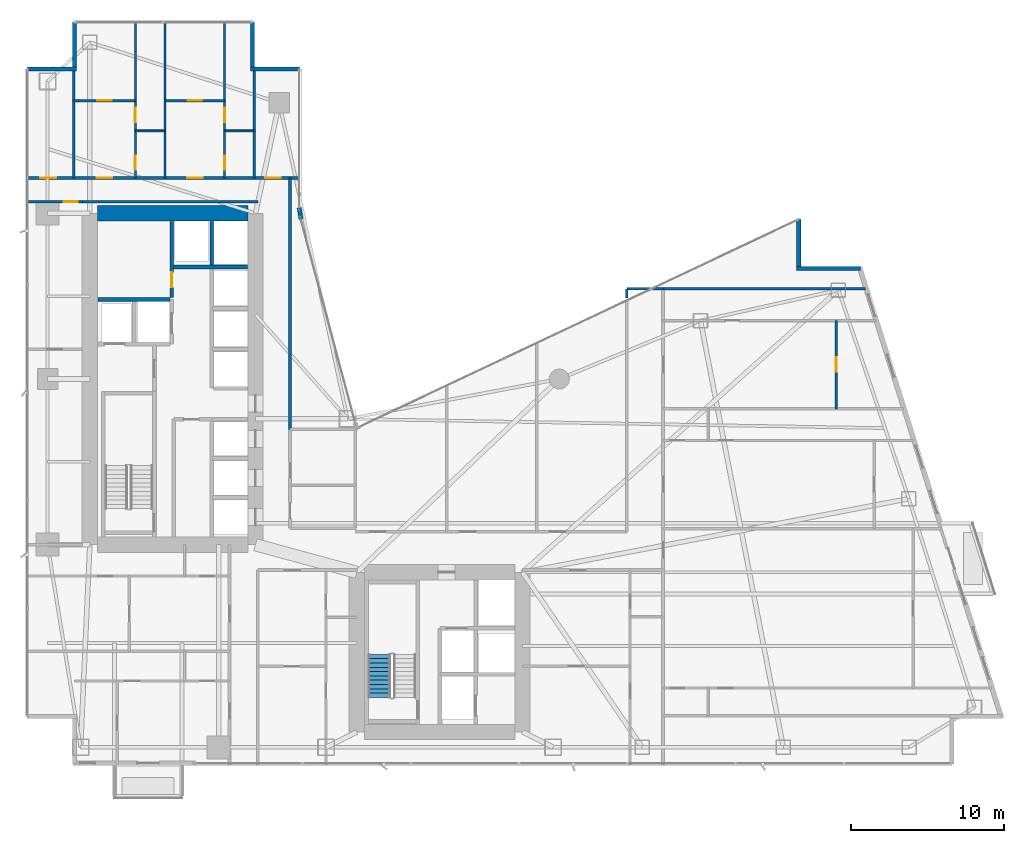
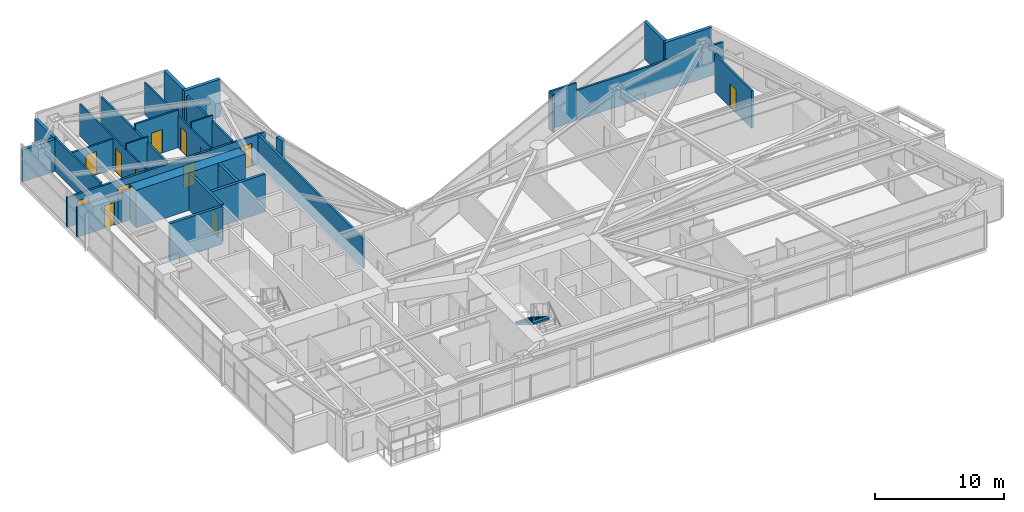
# One storey, part 25 of 29: 29 walls, 13 doors, 1 stair flight, 13 openings, 1 element without a shape of its own.
"""IFC4 building model written with IfcOpenShell, lengths in metres."""

from ifc_helpers import new_model, si_unit, direction, frame, frame_2d, origin, place, context, subcontext, project, spatial, polyline, rectangle, outline, extrude, material, layer, layer_set, type_object, element, fill, aggregate, save


model = new_model("IFC4")

# Units and contexts
model_context = context("Model", 3, precision=1e-05, world=origin(), true_north=direction((0.0, 1.0)))
body_context = subcontext(model_context, "Body", "Model", "MODEL_VIEW")
ifc_project = project(units=[si_unit("LENGTHUNIT", "METRE"), si_unit("AREAUNIT", "SQUARE_METRE"), si_unit("VOLUMEUNIT", "CUBIC_METRE"), si_unit("PLANEANGLEUNIT", "RADIAN"), si_unit("MASSUNIT", "GRAM", prefix="KILO")], contexts=[model_context])

# Site, building, storey
site_placement = place(None, origin())
site = spatial("IfcSite", under=ifc_project, at=site_placement, CompositionType="ELEMENT")
building_placement = place(site_placement, origin())
building = spatial("IfcBuilding", under=site, at=building_placement, Name="Calvorn Quay Hotel", CompositionType="ELEMENT")
storey_placement = place(building_placement, frame((0.0, 0.0, 58.39990234375)))
storey = spatial("IfcBuildingStorey", under=building, at=storey_placement, Name="L13", CompositionType="ELEMENT", Elevation=58.39990234375)

# Wall
ifc_material_1 = material(Name="Concrete C60", Category="concrete")
ifc_layer_1 = layer(ifc_material_1, 1.0)
ifc_layer_set_1 = layer_set([ifc_layer_1], Name="WL-CORE-1000")
wall_type_1 = type_object("IfcWallType", Name="WL-CORE-1000", PredefinedType="SHEAR", material=ifc_layer_set_1)
wall_1_placement = place(storey_placement, frame((4.699951171875, 38.39990234375, 0.0), z_axis=(0.0, 0.0, 1.0), x_axis=(1.0, 0.0, 0.0)))
element("IfcWall", 1, at=wall_1_placement, inside=storey, type_object=wall_type_1, Name="West Core Shear Wall N (L13)", PredefinedType="SHEAR", context=body_context, shape_type="SweptSolid", body=[
    extrude(rectangle(XDim=9.800048828125, YDim=1.0, at=frame_2d((4.89990234375, 0.0))), origin(), (0.0, 0.0, 1.0), 3.56005859375),
])

# Wall, opening, door
ifc_material_2 = material(Name="Acoustic Fireboard Steel-Stud Partition", Category="steel")
ifc_layer_2 = layer(ifc_material_2, 0.179931640625)
ifc_layer_set_2 = layer_set([ifc_layer_2], Name="WL-CORR-FIRE-180")
wall_type_2 = type_object("IfcWallType", Name="WL-CORR-FIRE-180", PredefinedType="PARTITIONING", material=ifc_layer_set_2)
wall_2_placement = place(storey_placement, frame((0.080078125, 39.14990234375, 0.0), z_axis=(0.0, 0.0, 1.0), x_axis=(1.0, 0.0, 0.0)))
wall_2 = element("IfcWall", 2, at=wall_2_placement, inside=storey, type_object=wall_type_2, Name="Partition Wall L13-WL-WBAY-N-DOOR", PredefinedType="PARTITIONING", context=body_context, shape_type="SweptSolid", body=[
    extrude(rectangle(XDim=3.64990234375, YDim=0.179931640625, at=frame_2d((1.824951171875, 0.0))), origin(), (0.0, 0.0, 1.0), 2.840087890625),
])
opening_1_placement = place(wall_2_placement, frame((2.429931640625, 0.0, 0.0)))
opening_1 = element("IfcOpeningElement", 3, at=opening_1_placement, cuts=wall_2, Name="Opening D-L13-WBN", PredefinedType="OPENING", context=body_context, shape_type="SweptSolid", body=[
    extrude(rectangle(XDim=0.89990234375, YDim=2.14990234375, at=frame_2d((0.449951171875, 1.074951171875))), frame((0.0, 0.099853515625, 0.0), z_axis=(0.0, -1.0, 0.0), x_axis=(1.0, 0.0, 0.0)), (0.0, 0.0, 1.0), 0.199951171875),
])
ifc_material_3 = material(Name="Moisture-Sealed Timber En-Suite Door", Category="wood")
door_type_1 = type_object("IfcDoorType", Name="DR-ENSUITE-900", OperationType="NOTDEFINED", PredefinedType="DOOR", material=ifc_material_3)
door_1_placement = place(opening_1_placement, origin())
door_1 = element("IfcDoor", 4, at=door_1_placement, inside=storey, type_object=door_type_1, Name="West North Bay Door (L13)", OperationType="SINGLE_SWING_LEFT", OverallHeight=2.14990234375, OverallWidth=0.89990234375, PredefinedType="DOOR", context=body_context, shape_type="SweptSolid", body=[
    extrude(rectangle(XDim=0.89990234375, YDim=2.14990234375, at=frame_2d((0.449951171875, 1.074951171875))), frame((0.0, 0.02490234375, 0.0), z_axis=(0.0, -1.0, 0.0), x_axis=(1.0, 0.0, 0.0)), (0.0, 0.0, 1.0), 0.050048828125),
])
fill(opening_1, door_1)

# Wall, openings, doors
wall_3_placement = place(storey_placement, frame((0.080078125, 40.699951171875, 0.0), z_axis=(0.0, 0.0, 1.0), x_axis=(1.0, 0.0, 0.0)))
wall_3 = element("IfcWall", 5, at=wall_3_placement, inside=storey, type_object=wall_type_2, Name="Partition Wall L13-WL-CORR-NW-N", PredefinedType="PARTITIONING", context=body_context, shape_type="SweptSolid", body=[
    extrude(rectangle(XDim=17.77001953125, YDim=0.179931640625, at=frame_2d((8.885009765625, 0.0))), origin(), (0.0, 0.0, 1.0), 2.840087890625),
])
opening_2_placement = place(wall_3_placement, frame((0.89990234375, 0.0, 0.0)))
opening_2 = element("IfcOpeningElement", 6, at=opening_2_placement, cuts=wall_3, Name="Opening D-L13-NWW", PredefinedType="OPENING", context=body_context, shape_type="SweptSolid", body=[
    extrude(rectangle(XDim=1.02001953125, YDim=2.199951171875, at=frame_2d((0.510009765625, 1.10009765625))), frame((0.0, 0.099853515625, 0.0), z_axis=(0.0, -1.0, 0.0), x_axis=(1.0, 0.0, 0.0)), (0.0, 0.0, 1.0), 0.199951171875),
])
opening_3_placement = place(wall_3_placement, frame((4.570068359375, 0.0, 0.0)))
opening_3 = element("IfcOpeningElement", 7, at=opening_3_placement, cuts=wall_3, Name="Opening D-L13-U04", PredefinedType="OPENING", context=body_context, shape_type="SweptSolid", body=[
    extrude(rectangle(XDim=1.02001953125, YDim=2.199951171875, at=frame_2d((0.510009765625, 1.10009765625))), frame((0.0, 0.099853515625, 0.0), z_axis=(0.0, -1.0, 0.0), x_axis=(1.0, 0.0, 0.0)), (0.0, 0.0, 1.0), 0.199951171875),
])
opening_4_placement = place(wall_3_placement, frame((10.4599609375, 0.0, 0.0)))
opening_4 = element("IfcOpeningElement", 8, at=opening_4_placement, cuts=wall_3, Name="Opening D-L13-U05", PredefinedType="OPENING", context=body_context, shape_type="SweptSolid", body=[
    extrude(rectangle(XDim=1.02001953125, YDim=2.199951171875, at=frame_2d((0.510009765625, 1.10009765625))), frame((0.0, 0.099853515625, 0.0), z_axis=(0.0, -1.0, 0.0), x_axis=(1.0, 0.0, 0.0)), (0.0, 0.0, 1.0), 0.199951171875),
])
opening_5_placement = place(wall_3_placement, frame((15.550048828125, 0.0, 0.0)))
opening_5 = element("IfcOpeningElement", 9, at=opening_5_placement, cuts=wall_3, Name="Opening D-L13-NWE", PredefinedType="OPENING", context=body_context, shape_type="SweptSolid", body=[
    extrude(rectangle(XDim=1.02001953125, YDim=2.199951171875, at=frame_2d((0.510009765625, 1.10009765625))), frame((0.0, 0.099853515625, 0.0), z_axis=(0.0, -1.0, 0.0), x_axis=(1.0, 0.0, 0.0)), (0.0, 0.0, 1.0), 0.199951171875),
])
ifc_material_4 = material(Name="Solid-Core Walnut Veneer Hotel Fire Door")
door_type_2 = type_object("IfcDoorType", Name="DR-GUEST-ENTRY-1020", OperationType="NOTDEFINED", PredefinedType="DOOR", material=ifc_material_4)
door_2_placement = place(opening_2_placement, origin())
door_2 = element("IfcDoor", 10, at=door_2_placement, inside=storey, type_object=door_type_2, Name="West Corner Study Door (L13)", OperationType="SINGLE_SWING_LEFT", OverallHeight=2.199951171875, OverallWidth=1.02001953125, PredefinedType="DOOR", context=body_context, shape_type="SweptSolid", body=[
    extrude(rectangle(XDim=1.02001953125, YDim=2.199951171875, at=frame_2d((0.510009765625, 1.10009765625))), frame((0.0, 0.02490234375, 0.0), z_axis=(0.0, -1.0, 0.0), x_axis=(1.0, 0.0, 0.0)), (0.0, 0.0, 1.0), 0.050048828125),
])
fill(opening_2, door_2)
door_3_placement = place(opening_3_placement, origin())
door_3 = element("IfcDoor", 11, at=door_3_placement, inside=storey, type_object=door_type_2, Name="North-West Unit Door U04 (L13)", OperationType="SINGLE_SWING_RIGHT", OverallHeight=2.199951171875, OverallWidth=1.02001953125, PredefinedType="DOOR", context=body_context, shape_type="SweptSolid", body=[
    extrude(rectangle(XDim=1.02001953125, YDim=2.199951171875, at=frame_2d((0.510009765625, 1.10009765625))), frame((0.0, 0.02490234375, 0.0), z_axis=(0.0, -1.0, 0.0), x_axis=(1.0, 0.0, 0.0)), (0.0, 0.0, 1.0), 0.050048828125),
])
fill(opening_3, door_3)
door_4_placement = place(opening_4_placement, origin())
door_4 = element("IfcDoor", 12, at=door_4_placement, inside=storey, type_object=door_type_2, Name="North-West Unit Door U05 (L13)", OperationType="SINGLE_SWING_LEFT", OverallHeight=2.199951171875, OverallWidth=1.02001953125, PredefinedType="DOOR", context=body_context, shape_type="SweptSolid", body=[
    extrude(rectangle(XDim=1.02001953125, YDim=2.199951171875, at=frame_2d((0.510009765625, 1.10009765625))), frame((0.0, 0.02490234375, 0.0), z_axis=(0.0, -1.0, 0.0), x_axis=(1.0, 0.0, 0.0)), (0.0, 0.0, 1.0), 0.050048828125),
])
fill(opening_4, door_4)
door_5_placement = place(opening_5_placement, origin())
door_5 = element("IfcDoor", 13, at=door_5_placement, inside=storey, type_object=door_type_2, Name="Inner Court Study Door (L13)", OperationType="SINGLE_SWING_RIGHT", OverallHeight=2.199951171875, OverallWidth=1.02001953125, PredefinedType="DOOR", context=body_context, shape_type="SweptSolid", body=[
    extrude(rectangle(XDim=1.02001953125, YDim=2.199951171875, at=frame_2d((0.510009765625, 1.10009765625))), frame((0.0, 0.02490234375, 0.0), z_axis=(0.0, -1.0, 0.0), x_axis=(1.0, 0.0, 0.0)), (0.0, 0.0, 1.0), 0.050048828125),
])
fill(opening_5, door_5)

# Walls
wall_4_placement = place(storey_placement, frame((17.25, 24.300048828125, 0.0), z_axis=(0.0, 0.0, 1.0), x_axis=(0.0, 1.0, 0.0)))
element("IfcWall", 14, at=wall_4_placement, inside=storey, type_object=wall_type_2, Name="Partition Wall L13-WL-NW-CLOSURE-E", PredefinedType="PARTITIONING", context=body_context, shape_type="SweptSolid", body=[
    extrude(rectangle(XDim=16.39990234375, YDim=0.179931640625, at=frame_2d((8.199951171875, 0.0))), origin(), (0.0, 0.0, 1.0), 2.840087890625),
])
wall_5_placement = place(storey_placement, frame((3.679931640625, 39.14990234375, 0.0), z_axis=(0.0, 0.0, 1.0), x_axis=(1.0, 0.0, 0.0)))
element("IfcWall", 15, at=wall_5_placement, inside=storey, type_object=wall_type_2, Name="Partition Wall L13-WL-W-SPUR-S", PredefinedType="PARTITIONING", context=body_context, shape_type="SweptSolid", body=[
    extrude(rectangle(XDim=11.469970703125, YDim=0.179931640625, at=frame_2d((5.73486328125, 0.0))), origin(), (0.0, 0.0, 1.0), 2.840087890625),
])
wall_6_placement = place(storey_placement, frame((41.550048828125, 33.47998046875, 0.0), z_axis=(0.0, 0.0, 1.0), x_axis=(1.0, 0.0, 0.0)))
element("IfcWall", 16, at=wall_6_placement, inside=storey, type_object=wall_type_2, Name="Partition Wall L13-WL-TIP-N", PredefinedType="PARTITIONING", context=body_context, shape_type="SweptSolid", body=[
    extrude(rectangle(XDim=13.2099609375, YDim=0.179931640625, at=frame_2d((6.60498046875, 0.0))), origin(), (0.0, 0.0, 1.0), 2.840087890625),
])
wall_7_placement = place(storey_placement, frame((39.199951171875, 32.889892578125, 0.0), z_axis=(0.0, 0.0, 1.0), x_axis=(0.0, 1.0, 0.0)))
element("IfcWall", 17, at=wall_7_placement, inside=storey, type_object=wall_type_2, Name="Partition Wall L13-WL-CORR-TIP-NW", PredefinedType="PARTITIONING", context=body_context, shape_type="SweptSolid", body=[
    extrude(rectangle(XDim=0.590087890625, YDim=0.179931640625, at=frame_2d((0.294921875, 0.0))), origin(), (0.0, 0.0, 1.0), 3.56005859375),
])
wall_8_placement = place(storey_placement, frame((39.199951171875, 33.47998046875, 0.0), z_axis=(0.0, 0.0, 1.0), x_axis=(1.0, 0.0, 0.0)))
element("IfcWall", 18, at=wall_8_placement, inside=storey, type_object=wall_type_2, Name="Partition Wall L13-WL-CORR-TIP-NN", PredefinedType="PARTITIONING", context=body_context, shape_type="SweptSolid", body=[
    extrude(rectangle(XDim=2.35009765625, YDim=0.179931640625, at=frame_2d((1.175048828125, 0.0))), origin(), (0.0, 0.0, 1.0), 3.56005859375),
])
ifc_material_5 = material(Name="Moisture-Resistant Tile-Backed Partition")
ifc_layer_3 = layer(ifc_material_5, 0.125)
ifc_layer_set_3 = layer_set([ifc_layer_3], Name="WL-ENSUITE-125")
wall_type_3 = type_object("IfcWallType", Name="WL-ENSUITE-125", PredefinedType="PARTITIONING", material=ifc_layer_set_3)
wall_9_placement = place(storey_placement, frame((7.169921875, 43.77001953125, 0.0), z_axis=(0.0, 0.0, 1.0), x_axis=(1.0, 0.0, 0.0)))
element("IfcWall", 19, at=wall_9_placement, inside=storey, type_object=wall_type_3, Name="Partition Wall L13-WL-U04-BDV", PredefinedType="PARTITIONING", context=body_context, shape_type="SweptSolid", body=[
    extrude(rectangle(XDim=1.93017578125, YDim=0.125, at=frame_2d((0.965087890625, 0.0))), origin(), (0.0, 0.0, 1.0), 3.56005859375),
])

# Wall, openings, doors
wall_10_placement = place(storey_placement, frame((7.169921875, 40.699951171875, 0.0), z_axis=(0.0, 0.0, 1.0), x_axis=(0.0, 1.0, 0.0)))
wall_10 = element("IfcWall", 20, at=wall_10_placement, inside=storey, type_object=wall_type_3, Name="Partition Wall L13-WL-U04-BV", PredefinedType="PARTITIONING", context=body_context, shape_type="SweptSolid", body=[
    extrude(rectangle(XDim=10.239990234375, YDim=0.125, at=frame_2d((5.1201171875, 0.0))), origin(), (0.0, 0.0, 1.0), 3.0400390625),
])
opening_6_placement = place(wall_10_placement, frame((0.550048828125, 0.0, 0.0)))
opening_6 = element("IfcOpeningElement", 21, at=opening_6_placement, cuts=wall_10, Name="Opening D-L13-E04", PredefinedType="OPENING", context=body_context, shape_type="SweptSolid", body=[
    extrude(rectangle(XDim=0.89990234375, YDim=2.14990234375, at=frame_2d((0.449951171875, 1.074951171875))), frame((0.0, 0.072509765625, 0.0), z_axis=(0.0, -1.0, 0.0), x_axis=(1.0, 0.0, 0.0)), (0.0, 0.0, 1.0), 0.14501953125),
])
opening_7_placement = place(wall_10_placement, frame((3.6201171875, 0.0, 0.0)))
opening_7 = element("IfcOpeningElement", 22, at=opening_7_placement, cuts=wall_10, Name="Opening D-L13-S04", PredefinedType="OPENING", context=body_context, shape_type="SweptSolid", body=[
    extrude(rectangle(XDim=0.9599609375, YDim=2.199951171875, at=frame_2d((0.47998046875, 1.10009765625))), frame((0.0, 0.072509765625, 0.0), z_axis=(0.0, -1.0, 0.0), x_axis=(1.0, 0.0, 0.0)), (0.0, 0.0, 1.0), 0.14501953125),
])
door_6_placement = place(opening_6_placement, origin())
door_6 = element("IfcDoor", 23, at=door_6_placement, inside=storey, type_object=door_type_1, Name="En-Suite Door 04", OperationType="SINGLE_SWING_LEFT", OverallHeight=2.14990234375, OverallWidth=0.89990234375, PredefinedType="DOOR", context=body_context, shape_type="SweptSolid", body=[
    extrude(rectangle(XDim=0.89990234375, YDim=2.14990234375, at=frame_2d((0.449951171875, 1.074951171875))), frame((0.0, 0.02490234375, 0.0), z_axis=(0.0, -1.0, 0.0), x_axis=(1.0, 0.0, 0.0)), (0.0, 0.0, 1.0), 0.050048828125),
])
fill(opening_6, door_6)
ifc_material_6 = material(Name="Solid Timber Internal Suite Door", Category="wood")
door_type_3 = type_object("IfcDoorType", Name="DR-SUITE-INT-960", OperationType="NOTDEFINED", PredefinedType="DOOR", material=ifc_material_6)
door_7_placement = place(opening_7_placement, origin())
door_7 = element("IfcDoor", 24, at=door_7_placement, inside=storey, type_object=door_type_3, Name="Private Executive Study Door 04", OperationType="SINGLE_SWING_RIGHT", OverallHeight=2.199951171875, OverallWidth=0.9599609375, PredefinedType="DOOR", context=body_context, shape_type="SweptSolid", body=[
    extrude(rectangle(XDim=0.9599609375, YDim=2.199951171875, at=frame_2d((0.47998046875, 1.10009765625))), frame((0.0, 0.02490234375, 0.0), z_axis=(0.0, -1.0, 0.0), x_axis=(1.0, 0.0, 0.0)), (0.0, 0.0, 1.0), 0.050048828125),
])
fill(opening_7, door_7)

# Wall
wall_11_placement = place(storey_placement, frame((12.989990234375, 43.77001953125, 0.0), z_axis=(0.0, 0.0, 1.0), x_axis=(1.0, 0.0, 0.0)))
element("IfcWall", 25, at=wall_11_placement, inside=storey, type_object=wall_type_3, Name="Partition Wall L13-WL-U05-BDV", PredefinedType="PARTITIONING", context=body_context, shape_type="SweptSolid", body=[
    extrude(rectangle(XDim=1.929931640625, YDim=0.125, at=frame_2d((0.96484375, 0.0))), origin(), (0.0, 0.0, 1.0), 3.56005859375),
])

# Wall, openings, doors
wall_12_placement = place(storey_placement, frame((12.989990234375, 40.699951171875, 0.0), z_axis=(0.0, 0.0, 1.0), x_axis=(0.0, 1.0, 0.0)))
wall_12 = element("IfcWall", 26, at=wall_12_placement, inside=storey, type_object=wall_type_3, Name="Partition Wall L13-WL-U05-BV", PredefinedType="PARTITIONING", context=body_context, shape_type="SweptSolid", body=[
    extrude(rectangle(XDim=10.239990234375, YDim=0.125, at=frame_2d((5.1201171875, 0.0))), origin(), (0.0, 0.0, 1.0), 3.0400390625),
])
opening_8_placement = place(wall_12_placement, frame((0.550048828125, 0.0, 0.0)))
opening_8 = element("IfcOpeningElement", 27, at=opening_8_placement, cuts=wall_12, Name="Opening D-L13-E05", PredefinedType="OPENING", context=body_context, shape_type="SweptSolid", body=[
    extrude(rectangle(XDim=0.89990234375, YDim=2.14990234375, at=frame_2d((0.449951171875, 1.074951171875))), frame((0.0, 0.072509765625, 0.0), z_axis=(0.0, -1.0, 0.0), x_axis=(1.0, 0.0, 0.0)), (0.0, 0.0, 1.0), 0.14501953125),
])
opening_9_placement = place(wall_12_placement, frame((3.6201171875, 0.0, 0.0)))
opening_9 = element("IfcOpeningElement", 28, at=opening_9_placement, cuts=wall_12, Name="Opening D-L13-S05", PredefinedType="OPENING", context=body_context, shape_type="SweptSolid", body=[
    extrude(rectangle(XDim=0.9599609375, YDim=2.199951171875, at=frame_2d((0.47998046875, 1.10009765625))), frame((0.0, 0.072509765625, 0.0), z_axis=(0.0, -1.0, 0.0), x_axis=(1.0, 0.0, 0.0)), (0.0, 0.0, 1.0), 0.14501953125),
])
door_8_placement = place(opening_8_placement, origin())
door_8 = element("IfcDoor", 29, at=door_8_placement, inside=storey, type_object=door_type_1, Name="En-Suite Door 05", OperationType="SINGLE_SWING_LEFT", OverallHeight=2.14990234375, OverallWidth=0.89990234375, PredefinedType="DOOR", context=body_context, shape_type="SweptSolid", body=[
    extrude(rectangle(XDim=0.89990234375, YDim=2.14990234375, at=frame_2d((0.449951171875, 1.074951171875))), frame((0.0, 0.02490234375, 0.0), z_axis=(0.0, -1.0, 0.0), x_axis=(1.0, 0.0, 0.0)), (0.0, 0.0, 1.0), 0.050048828125),
])
fill(opening_8, door_8)
door_9_placement = place(opening_9_placement, origin())
door_9 = element("IfcDoor", 30, at=door_9_placement, inside=storey, type_object=door_type_3, Name="Private Executive Study Door 05", OperationType="SINGLE_SWING_RIGHT", OverallHeight=2.199951171875, OverallWidth=0.9599609375, PredefinedType="DOOR", context=body_context, shape_type="SweptSolid", body=[
    extrude(rectangle(XDim=0.9599609375, YDim=2.199951171875, at=frame_2d((0.47998046875, 1.10009765625))), frame((0.0, 0.02490234375, 0.0), z_axis=(0.0, -1.0, 0.0), x_axis=(1.0, 0.0, 0.0)), (0.0, 0.0, 1.0), 0.050048828125),
])
fill(opening_9, door_9)

# Walls
ifc_material_7 = material(Name="Concrete C40", Category="concrete")
ifc_layer_4 = layer(ifc_material_7, 0.320068359375)
ifc_layer_set_4 = layer_set([ifc_layer_4], Name="WL-EXT-SPANDREL-320")
wall_type_4 = type_object("IfcWallType", Name="WL-EXT-SPANDREL-320", PredefinedType="SOLIDWALL", material=ifc_layer_set_4)
wall_13_placement = place(storey_placement, frame((17.9619140625, 38.030029296875, 0.0), z_axis=(0.0, 0.0, 1.0), x_axis=(-0.15141125477, 0.988470855377, 0.0)))
element("IfcWall", 31, at=wall_13_placement, inside=storey, type_object=wall_type_4, Name="Inner Court Corner Pier L13-ICJ2", PredefinedType="SOLIDWALL", context=body_context, shape_type="SweptSolid", body=[
    extrude(rectangle(XDim=0.738525390625, YDim=0.280029296875, at=frame_2d((0.369140625, 0.0))), origin(), (0.0, 0.0, 1.0), 3.56005859375),
])
wall_14_placement = place(storey_placement, frame((54.43994140625, 34.800048828125, 0.0), z_axis=(0.0, 0.0, 1.0), x_axis=(-1.0, 0.0, 0.0)))
element("IfcWall", 32, at=wall_14_placement, inside=storey, type_object=wall_type_4, Name="Notched Corner Spandrel L13-NE1", PredefinedType="SOLIDWALL", context=body_context, shape_type="SweptSolid", body=[
    extrude(rectangle(XDim=4.179931640625, YDim=0.280029296875, at=frame_2d((2.08984375, 0.0))), origin(), (0.0, 0.0, 1.0), 3.56005859375),
])
wall_15_placement = place(storey_placement, frame((50.39990234375, 34.93994140625, 0.0), z_axis=(0.0, 0.0, 1.0), x_axis=(0.0, 1.0, 0.0)))
element("IfcWall", 33, at=wall_15_placement, inside=storey, type_object=wall_type_4, Name="Notched Corner Spandrel L13-NE2", PredefinedType="SOLIDWALL", context=body_context, shape_type="SweptSolid", body=[
    extrude(rectangle(XDim=3.10009765625, YDim=0.280029296875, at=frame_2d((1.550048828125, 0.0))), origin(), (0.0, 0.0, 1.0), 3.56005859375),
])
wall_16_placement = place(storey_placement, frame((17.89990234375, 47.800048828125, 0.0), z_axis=(0.0, 0.0, 1.0), x_axis=(-1.0, 0.0, 0.0)))
element("IfcWall", 34, at=wall_16_placement, inside=storey, type_object=wall_type_4, Name="Notched Corner Spandrel L13-NWE1", PredefinedType="SOLIDWALL", context=body_context, shape_type="SweptSolid", body=[
    extrude(rectangle(XDim=3.239990234375, YDim=0.280029296875, at=frame_2d((1.6201171875, 0.0))), origin(), (0.0, 0.0, 1.0), 3.56005859375),
])
wall_17_placement = place(storey_placement, frame((14.800048828125, 47.93994140625, 0.0), z_axis=(0.0, 0.0, 1.0), x_axis=(0.0, 1.0, 0.0)))
element("IfcWall", 35, at=wall_17_placement, inside=storey, type_object=wall_type_4, Name="Notched Corner Spandrel L13-NWE2", PredefinedType="SOLIDWALL", context=body_context, shape_type="SweptSolid", body=[
    extrude(rectangle(XDim=2.93994140625, YDim=0.280029296875, at=frame_2d((1.469970703125, 0.0))), origin(), (0.0, 0.0, 1.0), 3.56005859375),
])
wall_18_placement = place(storey_placement, frame((3.199951171875, 50.8798828125, 0.0), z_axis=(0.0, 0.0, 1.0), x_axis=(0.0, -1.0, 0.0)))
element("IfcWall", 36, at=wall_18_placement, inside=storey, type_object=wall_type_4, Name="Notched Corner Spandrel L13-NW1", PredefinedType="SOLIDWALL", context=body_context, shape_type="SweptSolid", body=[
    extrude(rectangle(XDim=2.93994140625, YDim=0.280029296875, at=frame_2d((1.469970703125, 0.0))), origin(), (0.0, 0.0, 1.0), 3.0400390625),
])
wall_19_placement = place(storey_placement, frame((3.340087890625, 47.800048828125, 0.0), z_axis=(0.0, 0.0, 1.0), x_axis=(-1.0, 0.0, 0.0)))
element("IfcWall", 37, at=wall_19_placement, inside=storey, type_object=wall_type_4, Name="Notched Corner Spandrel L13-NW2", PredefinedType="SOLIDWALL", context=body_context, shape_type="SweptSolid", body=[
    extrude(rectangle(XDim=3.219970703125, YDim=0.280029296875, at=frame_2d((1.60986328125, 0.0))), origin(), (0.0, 0.0, 1.0), 3.0400390625),
])
ifc_material_8 = material(Name="Double-Stud Acoustic Gypsum Partition")
ifc_layer_5 = layer(ifc_material_8, 0.159912109375)
ifc_layer_set_5 = layer_set([ifc_layer_5], Name="WL-INTERSUITE-160")
wall_type_5 = type_object("IfcWallType", Name="WL-INTERSUITE-160", PredefinedType="PARTITIONING", material=ifc_layer_set_5)
wall_20_placement = place(storey_placement, frame((3.14990234375, 40.699951171875, 0.0), z_axis=(0.0, 0.0, 1.0), x_axis=(0.0, 1.0, 0.0)))
element("IfcWall", 38, at=wall_20_placement, inside=storey, type_object=wall_type_5, Name="Partition Wall L13-WL-NW-DIV-W0", PredefinedType="PARTITIONING", context=body_context, shape_type="SweptSolid", body=[
    extrude(rectangle(XDim=7.10009765625, YDim=0.159912109375, at=frame_2d((3.550048828125, 0.0))), origin(), (0.0, 0.0, 1.0), 3.14013671875),
])
wall_21_placement = place(storey_placement, frame((14.919921875, 40.699951171875, 0.0), z_axis=(0.0, 0.0, 1.0), x_axis=(0.0, 1.0, 0.0)))
element("IfcWall", 39, at=wall_21_placement, inside=storey, type_object=wall_type_5, Name="Partition Wall L13-WL-NW-DIV-E0", PredefinedType="PARTITIONING", context=body_context, shape_type="SweptSolid", body=[
    extrude(rectangle(XDim=7.10009765625, YDim=0.159912109375, at=frame_2d((3.550048828125, 0.0))), origin(), (0.0, 0.0, 1.0), 3.0400390625),
])

# Wall, opening, door
wall_22_placement = place(storey_placement, frame((3.14990234375, 45.75, 0.0), z_axis=(0.0, 0.0, 1.0), x_axis=(1.0, 0.0, 0.0)))
wall_22 = element("IfcWall", 40, at=wall_22_placement, inside=storey, type_object=wall_type_5, Name="Partition Wall L13-WL-U04-MSP", PredefinedType="PARTITIONING", context=body_context, shape_type="SweptSolid", body=[
    extrude(rectangle(XDim=4.02001953125, YDim=0.159912109375, at=frame_2d((2.010009765625, 0.0))), origin(), (0.0, 0.0, 1.0), 2.840087890625),
])
opening_10_placement = place(wall_22_placement, frame((1.530029296875, 0.0, 0.0)))
opening_10 = element("IfcOpeningElement", 41, at=opening_10_placement, cuts=wall_22, Name="Opening D-L13-M04", PredefinedType="OPENING", context=body_context, shape_type="SweptSolid", body=[
    extrude(rectangle(XDim=0.9599609375, YDim=2.199951171875, at=frame_2d((0.47998046875, 1.10009765625))), frame((0.0, 0.08984375, 0.0), z_axis=(0.0, -1.0, 0.0), x_axis=(1.0, 0.0, 0.0)), (0.0, 0.0, 1.0), 0.179931640625),
])
door_10_placement = place(opening_10_placement, origin())
door_10 = element("IfcDoor", 42, at=door_10_placement, inside=storey, type_object=door_type_3, Name="Suite Bedroom Door 04", OperationType="SINGLE_SWING_LEFT", OverallHeight=2.199951171875, OverallWidth=0.9599609375, PredefinedType="DOOR", context=body_context, shape_type="SweptSolid", body=[
    extrude(rectangle(XDim=0.9599609375, YDim=2.199951171875, at=frame_2d((0.47998046875, 1.10009765625))), frame((0.0, 0.02490234375, 0.0), z_axis=(0.0, -1.0, 0.0), x_axis=(1.0, 0.0, 0.0)), (0.0, 0.0, 1.0), 0.050048828125),
])
fill(opening_10, door_10)

wall_23_placement = place(storey_placement, frame((9.10009765625, 45.75, 0.0), z_axis=(0.0, 0.0, 1.0), x_axis=(1.0, 0.0, 0.0)))
wall_23 = element("IfcWall", 43, at=wall_23_placement, inside=storey, type_object=wall_type_5, Name="Partition Wall L13-WL-U05-MSP", PredefinedType="PARTITIONING", context=body_context, shape_type="SweptSolid", body=[
    extrude(rectangle(XDim=3.889892578125, YDim=0.159912109375, at=frame_2d((1.94482421875, 0.0))), origin(), (0.0, 0.0, 1.0), 3.56005859375),
])
opening_11_placement = place(wall_23_placement, frame((1.469970703125, 0.0, 0.0)))
opening_11 = element("IfcOpeningElement", 44, at=opening_11_placement, cuts=wall_23, Name="Opening D-L13-M05", PredefinedType="OPENING", context=body_context, shape_type="SweptSolid", body=[
    extrude(rectangle(XDim=0.9599609375, YDim=2.199951171875, at=frame_2d((0.47998046875, 1.10009765625))), frame((0.0, 0.08984375, 0.0), z_axis=(0.0, -1.0, 0.0), x_axis=(1.0, 0.0, 0.0)), (0.0, 0.0, 1.0), 0.179931640625),
])
door_11_placement = place(opening_11_placement, origin())
door_11 = element("IfcDoor", 45, at=door_11_placement, inside=storey, type_object=door_type_3, Name="Suite Bedroom Door 05", OperationType="SINGLE_SWING_LEFT", OverallHeight=2.199951171875, OverallWidth=0.9599609375, PredefinedType="DOOR", context=body_context, shape_type="SweptSolid", body=[
    extrude(rectangle(XDim=0.9599609375, YDim=2.199951171875, at=frame_2d((0.47998046875, 1.10009765625))), frame((0.0, 0.02490234375, 0.0), z_axis=(0.0, -1.0, 0.0), x_axis=(1.0, 0.0, 0.0)), (0.0, 0.0, 1.0), 0.050048828125),
])
fill(opening_11, door_11)

# Wall
wall_24_placement = place(storey_placement, frame((9.10009765625, 40.699951171875, 0.0), z_axis=(0.0, 0.0, 1.0), x_axis=(0.0, 1.0, 0.0)))
element("IfcWall", 46, at=wall_24_placement, inside=storey, type_object=wall_type_5, Name="Partition Wall L13-WL-NW-DIV-1", PredefinedType="PARTITIONING", context=body_context, shape_type="SweptSolid", body=[
    extrude(rectangle(XDim=10.239990234375, YDim=0.159912109375, at=frame_2d((5.1201171875, 0.0))), origin(), (0.0, 0.0, 1.0), 3.0400390625),
])

# Wall, opening, door
wall_25_placement = place(storey_placement, frame((52.85009765625, 25.659912109375, 0.0), z_axis=(0.0, 0.0, 1.0), x_axis=(0.0, 1.0, 0.0)))
wall_25 = element("IfcWall", 47, at=wall_25_placement, inside=storey, type_object=wall_type_5, Name="Partition Wall L13-WL-U09-MSP", PredefinedType="PARTITIONING", context=body_context, shape_type="SweptSolid", body=[
    extrude(rectangle(XDim=5.75, YDim=0.159912109375, at=frame_2d((2.875, 0.0))), origin(), (0.0, 0.0, 1.0), 3.56005859375),
])
opening_12_placement = place(wall_25_placement, frame((2.39990234375, 0.0, 0.0)))
opening_12 = element("IfcOpeningElement", 48, at=opening_12_placement, cuts=wall_25, Name="Opening D-L13-M09", PredefinedType="OPENING", context=body_context, shape_type="SweptSolid", body=[
    extrude(rectangle(XDim=0.9599609375, YDim=2.199951171875, at=frame_2d((0.47998046875, 1.10009765625))), frame((0.0, 0.08984375, 0.0), z_axis=(0.0, -1.0, 0.0), x_axis=(1.0, 0.0, 0.0)), (0.0, 0.0, 1.0), 0.179931640625),
])
door_12_placement = place(opening_12_placement, origin())
door_12 = element("IfcDoor", 49, at=door_12_placement, inside=storey, type_object=door_type_3, Name="Suite Bedroom Door 09", OperationType="SINGLE_SWING_LEFT", OverallHeight=2.199951171875, OverallWidth=0.9599609375, PredefinedType="DOOR", context=body_context, shape_type="SweptSolid", body=[
    extrude(rectangle(XDim=0.9599609375, YDim=2.199951171875, at=frame_2d((0.47998046875, 1.10009765625))), frame((0.0, 0.02490234375, 0.0), z_axis=(0.0, -1.0, 0.0), x_axis=(1.0, 0.0, 0.0)), (0.0, 0.0, 1.0), 0.050048828125),
])
fill(opening_12, door_12)

ifc_material_9 = material(Name="Autoclaved Aerated Masonry Block", Category="masonry")
ifc_layer_6 = layer(ifc_material_9, 0.219970703125)
ifc_layer_set_6 = layer_set([ifc_layer_6], Name="WL-LOBBY-FIRE-220")
wall_type_6 = type_object("IfcWallType", Name="WL-LOBBY-FIRE-220", PredefinedType="SOLIDWALL", material=ifc_layer_set_6)
wall_26_placement = place(storey_placement, frame((9.5400390625, 32.919921875, 0.0), z_axis=(0.0, 0.0, 1.0), x_axis=(0.0, 1.0, 0.0)))
wall_26 = element("IfcWall", 50, at=wall_26_placement, inside=storey, type_object=wall_type_6, Name="Partition Wall L13-WL-CWW-K-E", PredefinedType="SOLIDWALL", context=body_context, shape_type="SweptSolid", body=[
    extrude(rectangle(XDim=4.9599609375, YDim=0.219970703125, at=frame_2d((2.47998046875, 0.0))), origin(), (0.0, 0.0, 1.0), 3.56005859375),
])
opening_13_placement = place(wall_26_placement, frame((0.64990234375, 0.0, 0.0)))
opening_13 = element("IfcOpeningElement", 51, at=opening_13_placement, cuts=wall_26, Name="Opening D-L13-CK1", PredefinedType="OPENING", context=body_context, shape_type="SweptSolid", body=[
    extrude(rectangle(XDim=0.97998046875, YDim=2.14990234375, at=frame_2d((0.489990234375, 1.074951171875))), frame((0.0, 0.119873046875, 0.0), z_axis=(0.0, -1.0, 0.0), x_axis=(1.0, 0.0, 0.0)), (0.0, 0.0, 1.0), 0.239990234375),
])
ifc_material_10 = material(Name="Painted Steel Housekeeping/Riser Fire Door", Category="steel")
door_type_4 = type_object("IfcDoorType", Name="DR-SERVICE-980", OperationType="NOTDEFINED", PredefinedType="DOOR", material=ifc_material_10)
door_13_placement = place(opening_13_placement, origin())
door_13 = element("IfcDoor", 52, at=door_13_placement, inside=storey, type_object=door_type_4, Name="Core Linen Room Door (L13)", OperationType="SINGLE_SWING_LEFT", OverallHeight=2.14990234375, OverallWidth=0.97998046875, PredefinedType="DOOR", context=body_context, shape_type="SweptSolid", body=[
    extrude(rectangle(XDim=0.97998046875, YDim=2.14990234375, at=frame_2d((0.489990234375, 1.074951171875))), frame((0.0, 0.02490234375, 0.0), z_axis=(0.0, -1.0, 0.0), x_axis=(1.0, 0.0, 0.0)), (0.0, 0.0, 1.0), 0.050048828125),
])
fill(opening_13, door_13)

# Walls
ifc_material_11 = material(Name="Concrete C40", Category="concrete")
ifc_layer_7 = layer(ifc_material_11, 0.239990234375)
ifc_layer_set_7 = layer_set([ifc_layer_7], Name="WL-SHAFT-240")
wall_type_7 = type_object("IfcWallType", Name="WL-SHAFT-240", PredefinedType="SOLIDWALL", material=ifc_layer_set_7)
wall_27_placement = place(storey_placement, frame((4.719970703125, 32.780029296875, 0.0), z_axis=(0.0, 0.0, 1.0), x_axis=(1.0, 0.0, 0.0)))
element("IfcWall", 53, at=wall_27_placement, inside=storey, type_object=wall_type_7, Name="Partition Wall L13-WL-CWW-SLW-N", PredefinedType="SOLIDWALL", context=body_context, shape_type="SweptSolid", body=[
    extrude(rectangle(XDim=4.699951171875, YDim=0.239990234375, at=frame_2d((2.35009765625, 0.0))), origin(), (0.0, 0.0, 1.0), 3.56005859375),
])
wall_28_placement = place(storey_placement, frame((9.659912109375, 34.89990234375, 0.0), z_axis=(0.0, 0.0, 1.0), x_axis=(1.0, 0.0, 0.0)))
element("IfcWall", 54, at=wall_28_placement, inside=storey, type_object=wall_type_7, Name="Partition Wall L13-WL-CWW-PLH-S", PredefinedType="SOLIDWALL", context=body_context, shape_type="SweptSolid", body=[
    extrude(rectangle(XDim=4.820068359375, YDim=0.239990234375, at=frame_2d((2.41015625, 0.0))), origin(), (0.0, 0.0, 1.0), 3.56005859375),
])
wall_29_placement = place(storey_placement, frame((12.14990234375, 35.02001953125, 0.0), z_axis=(0.0, 0.0, 1.0), x_axis=(0.0, 1.0, 0.0)))
element("IfcWall", 55, at=wall_29_placement, inside=storey, type_object=wall_type_7, Name="Partition Wall L13-WL-CWW-PLH-DIV", PredefinedType="SOLIDWALL", context=body_context, shape_type="SweptSolid", body=[
    extrude(rectangle(XDim=2.85986328125, YDim=0.239990234375, at=frame_2d((1.429931640625, 0.0))), origin(), (0.0, 0.0, 1.0), 3.56005859375),
])

# Stair, stair flight
ifc_material_12 = material(Name="Concrete C40", Category="concrete")
stair_type = type_object("IfcStairType", Name="STR-CORE-DOGLEG", PredefinedType="HALF_TURN_STAIR", material=ifc_material_12)
stair_placement = place(storey_placement, origin())
stair = element("IfcStair", 56, at=stair_placement, inside=storey, type_object=stair_type, Name="L13 ST-E", PredefinedType="HALF_TURN_STAIR")
ifc_material_13 = material(Name="Concrete C40", Category="concrete")
stair_flight_type = type_object("IfcStairFlightType", Name="FLT-CORE-1550", PredefinedType="STRAIGHT", material=ifc_material_13)
stair_flight_placement = place(storey_placement, frame((23.074951171875, 9.64990234375, 1.900146484375), z_axis=(0.0, 0.0, 1.0), x_axis=(0.0, -1.0, 0.0)))
stair_flight = element("IfcStairFlight", 57, at=stair_flight_placement, type_object=stair_flight_type, Name="ST-E flight 2", NumberOfRisers=11, NumberOfTreads=10, PredefinedType="STRAIGHT", RiserHeight=0.172727273, TreadLength=0.28, context=body_context, shape_type="SweptSolid", body=[
    extrude(outline(polyline([(0.0, 0.0), (0.0, 0.172607421875), (0.280029296875, 0.172607421875), (0.280029296875, 0.345458984375), (0.56005859375, 0.345458984375), (0.56005859375, 0.51806640625), (0.840087890625, 0.51806640625), (0.840087890625, 0.69091796875), (1.1201171875, 0.69091796875), (1.1201171875, 0.863525390625), (1.39990234375, 0.863525390625), (1.39990234375, 1.036376953125), (1.679931640625, 1.036376953125), (1.679931640625, 1.208984375), (1.9599609375, 1.208984375), (1.9599609375, 1.3818359375), (2.239990234375, 1.3818359375), (2.239990234375, 1.554443359375), (2.52001953125, 1.554443359375), (2.52001953125, 1.727294921875), (2.800048828125, 1.727294921875), (2.800048828125, 1.89990234375), (2.800048828125, 1.551025390625), (0.285400390625, 0.0), (0.0, 0.0)])), frame((0.0, 0.72509765625, 0.0), z_axis=(0.0, -1.0, 0.0), x_axis=(1.0, 0.0, 0.0)), (0.0, 0.0, 1.0), 1.449951171875),
])
aggregate(stair, [stair_flight])

save(model, "model.ifc")
